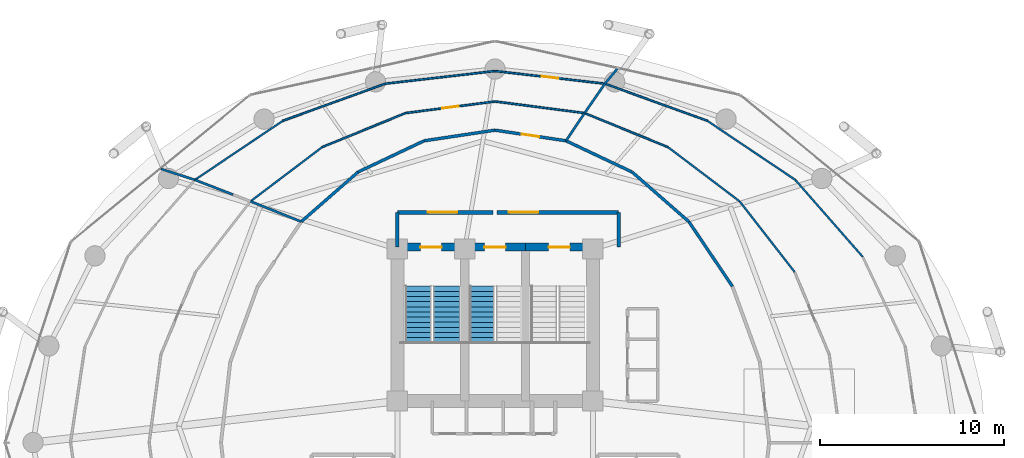
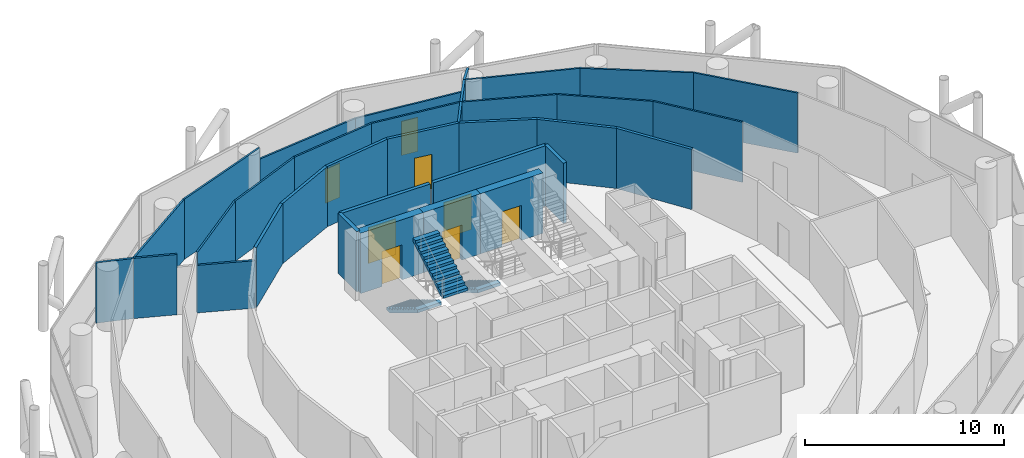
# One storey, part 24 of 27: 34 walls, 8 doors, 3 stair flights, 8 openings, 2 elements without a shape of their own.
"""IFC4 building model written with IfcOpenShell, lengths in metres."""

from ifc_helpers import new_model, si_unit, direction, frame, frame_2d, origin, place, context, subcontext, project, spatial, polyline, rectangle, outline, extrude, material, layer, layer_set, type_object, element, fill, aggregate, save


model = new_model("IFC4")

# Units and contexts
model_context = context("Model", 3, precision=1e-05, world=origin(), true_north=direction((0.0, 1.0)))
body_context = subcontext(model_context, "Body", "Model", "MODEL_VIEW")
ifc_project = project(units=[si_unit("LENGTHUNIT", "METRE"), si_unit("AREAUNIT", "SQUARE_METRE"), si_unit("VOLUMEUNIT", "CUBIC_METRE"), si_unit("PLANEANGLEUNIT", "RADIAN"), si_unit("MASSUNIT", "GRAM", prefix="KILO")], contexts=[model_context])

# Site, building, storey
site_placement = place(None, origin())
site = spatial("IfcSite", under=ifc_project, at=site_placement, CompositionType="ELEMENT")
building_placement = place(site_placement, origin())
building = spatial("IfcBuilding", under=site, at=building_placement, Name="Nuhasar Tower", CompositionType="ELEMENT")
storey_placement = place(building_placement, frame((0.0, 0.0, 102.0)))
storey = spatial("IfcBuildingStorey", under=building, at=storey_placement, Name="L24", CompositionType="ELEMENT", Elevation=102.0)

# Wall, opening, door
ifc_material_1 = material(Name="Concrete C50/60", Category="concrete")
ifc_layer_1 = layer(ifc_material_1, 0.449951171875)
ifc_layer_set_1 = layer_set([ifc_layer_1], Name="Concrete C50/60")
wall_type_1 = type_object("IfcWallType", Name="WL-CORE-450", PredefinedType="SHEAR", material=ifc_layer_set_1)
wall_1_placement = place(storey_placement, frame((37.35009765625, 37.39990234375, 0.0), z_axis=(0.0, 0.0, 1.0), x_axis=(-1.0, 0.0, 0.0)))
wall_1 = element("IfcWall", 1, at=wall_1_placement, inside=storey, type_object=wall_type_1, Name="L24 Stairwell Shear Wall ST01-N", PredefinedType="SHEAR", context=body_context, shape_type="SweptSolid", body=[
    extrude(rectangle(XDim=3.650146484375, YDim=0.449951171875, at=frame_2d((1.8251953125, 0.0))), origin(), (0.0, 0.0, 1.0), 3.699951171875),
])
opening_1_placement = place(wall_1_placement, frame((1.25, 0.0, 0.0)))
opening_1 = element("IfcOpeningElement", 2, at=opening_1_placement, cuts=wall_1, Name="Opening DS-01", PredefinedType="OPENING", context=body_context, shape_type="SweptSolid", body=[
    extrude(rectangle(XDim=1.14990234375, YDim=2.14990234375, at=frame_2d((0.574951171875, 1.074951171875))), frame((0.0, 0.23486328125, 0.0), z_axis=(0.0, -1.0, 0.0), x_axis=(1.0, 0.0, 0.0)), (0.0, 0.0, 1.0), 0.469970703125),
])
ifc_material_2 = material(Name="Steel S355", Category="steel")
door_type_1 = type_object("IfcDoorType", Name="DR-STAIR-FD120-1150", OperationType="NOTDEFINED", PredefinedType="DOOR", material=ifc_material_2)
door_1_placement = place(opening_1_placement, origin())
door_1 = element("IfcDoor", 3, at=door_1_placement, inside=storey, type_object=door_type_1, Name="L24 Exit Stair ST-01 Door", OperationType="SINGLE_SWING_RIGHT", OverallHeight=2.14990234375, OverallWidth=1.14990234375, PredefinedType="DOOR", context=body_context, shape_type="SweptSolid", body=[
    extrude(rectangle(XDim=1.14990234375, YDim=2.14990234375, at=frame_2d((0.574951171875, 1.074951171875))), frame((0.0, 0.02490234375, 0.0), z_axis=(0.0, -1.0, 0.0), x_axis=(1.0, 0.0, 0.0)), (0.0, 0.0, 1.0), 0.050048828125),
])
fill(opening_1, door_1)

wall_2_placement = place(storey_placement, frame((40.64990234375, 37.39990234375, 0.0), z_axis=(0.0, 0.0, 1.0), x_axis=(-1.0, 0.0, 0.0)))
wall_2 = element("IfcWall", 4, at=wall_2_placement, inside=storey, type_object=wall_type_1, Name="L24 Stairwell Shear Wall ST03-N", PredefinedType="SHEAR", context=body_context, shape_type="SweptSolid", body=[
    extrude(rectangle(XDim=3.2998046875, YDim=0.449951171875, at=frame_2d((1.64990234375, 0.0))), origin(), (0.0, 0.0, 1.0), 3.699951171875),
])
opening_2_placement = place(wall_2_placement, frame((1.074951171875, 0.0, 0.0)))
opening_2 = element("IfcOpeningElement", 5, at=opening_2_placement, cuts=wall_2, Name="Opening DS-01", PredefinedType="OPENING", context=body_context, shape_type="SweptSolid", body=[
    extrude(rectangle(XDim=1.14990234375, YDim=2.14990234375, at=frame_2d((0.574951171875, 1.074951171875))), frame((0.0, 0.23486328125, 0.0), z_axis=(0.0, -1.0, 0.0), x_axis=(1.0, 0.0, 0.0)), (0.0, 0.0, 1.0), 0.469970703125),
])
door_2_placement = place(opening_2_placement, origin())
door_2 = element("IfcDoor", 6, at=door_2_placement, inside=storey, type_object=door_type_1, Name="L24 Exit Stair ST-03 Door", OperationType="SINGLE_SWING_RIGHT", OverallHeight=2.14990234375, OverallWidth=1.14990234375, PredefinedType="DOOR", context=body_context, shape_type="SweptSolid", body=[
    extrude(rectangle(XDim=1.14990234375, YDim=2.14990234375, at=frame_2d((0.574951171875, 1.074951171875))), frame((0.0, 0.02490234375, 0.0), z_axis=(0.0, -1.0, 0.0), x_axis=(1.0, 0.0, 0.0)), (0.0, 0.0, 1.0), 0.050048828125),
])
fill(opening_2, door_2)

wall_3_placement = place(storey_placement, frame((44.300048828125, 37.39990234375, 0.0), z_axis=(0.0, 0.0, 1.0), x_axis=(-1.0, 0.0, 0.0)))
wall_3 = element("IfcWall", 7, at=wall_3_placement, inside=storey, type_object=wall_type_1, Name="L24 Stairwell Shear Wall ST02-N", PredefinedType="SHEAR", context=body_context, shape_type="SweptSolid", body=[
    extrude(rectangle(XDim=3.650146484375, YDim=0.449951171875, at=frame_2d((1.8251953125, 0.0))), origin(), (0.0, 0.0, 1.0), 3.699951171875),
])
opening_3_placement = place(wall_3_placement, frame((1.25, 0.0, 0.0)))
opening_3 = element("IfcOpeningElement", 8, at=opening_3_placement, cuts=wall_3, Name="Opening DS-01", PredefinedType="OPENING", context=body_context, shape_type="SweptSolid", body=[
    extrude(rectangle(XDim=1.14990234375, YDim=2.14990234375, at=frame_2d((0.574951171875, 1.074951171875))), frame((0.0, 0.23486328125, 0.0), z_axis=(0.0, -1.0, 0.0), x_axis=(1.0, 0.0, 0.0)), (0.0, 0.0, 1.0), 0.469970703125),
])
door_3_placement = place(opening_3_placement, origin())
door_3 = element("IfcDoor", 9, at=door_3_placement, inside=storey, type_object=door_type_1, Name="L24 Exit Stair ST-02 Door", OperationType="SINGLE_SWING_LEFT", OverallHeight=2.14990234375, OverallWidth=1.14990234375, PredefinedType="DOOR", context=body_context, shape_type="SweptSolid", body=[
    extrude(rectangle(XDim=1.14990234375, YDim=2.14990234375, at=frame_2d((0.574951171875, 1.074951171875))), frame((0.0, 0.02490234375, 0.0), z_axis=(0.0, -1.0, 0.0), x_axis=(1.0, 0.0, 0.0)), (0.0, 0.0, 1.0), 0.050048828125),
])
fill(opening_3, door_3)

# Walls
ifc_material_3 = material(Name="Gypsum Board", Category="gypsum")
ifc_layer_2 = layer(ifc_material_3, 0.159912109375)
ifc_layer_set_2 = layer_set([ifc_layer_2], Name="Gypsum Board")
wall_type_2 = type_object("IfcWallType", Name="WL-CORR-160", PredefinedType="PARTITIONING", material=ifc_layer_set_2)
wall_4_placement = place(storey_placement, frame((51.868896484375, 35.27001953125, 0.0), z_axis=(0.0, 0.0, 1.0), x_axis=(-0.558319056182, 0.829626320402, 0.0)))
element("IfcWall", 10, at=wall_4_placement, inside=storey, type_object=wall_type_2, Name="L24 Interior Partition CORR-04", PredefinedType="PARTITIONING", context=body_context, shape_type="SweptSolid", body=[
    extrude(rectangle(XDim=4.228515625, YDim=0.159912109375, at=frame_2d((2.1142578125, 0.0))), origin(), (0.0, 0.0, 1.0), 3.699951171875),
])
wall_5_placement = place(storey_placement, frame((49.508056640625, 38.778076171875, 0.0), z_axis=(0.0, 0.0, 1.0), x_axis=(-0.75275419575, 0.658301694348, 0.0)))
element("IfcWall", 11, at=wall_5_placement, inside=storey, type_object=wall_type_2, Name="L24 Interior Partition CORR-06", PredefinedType="PARTITIONING", context=body_context, shape_type="SweptSolid", body=[
    extrude(rectangle(XDim=4.089111328125, YDim=0.159912109375, at=frame_2d((2.04443359375, 0.0))), origin(), (0.0, 0.0, 1.0), 3.699951171875),
])
wall_6_placement = place(storey_placement, frame((46.429931640625, 41.469970703125, 0.0), z_axis=(0.0, 0.0, 1.0), x_axis=(-0.904182574226, 0.427146195658, 0.0)))
element("IfcWall", 12, at=wall_6_placement, inside=storey, type_object=wall_type_2, Name="L24 Interior Partition CORR-08", PredefinedType="PARTITIONING", context=body_context, shape_type="SweptSolid", body=[
    extrude(rectangle(XDim=3.9638671875, YDim=0.159912109375, at=frame_2d((1.98193359375, 0.0))), origin(), (0.0, 0.0, 1.0), 3.699951171875),
])

# Wall, opening, door
wall_7_placement = place(storey_placement, frame((39.0, 43.739990234375, 0.0), z_axis=(0.0, 0.0, 1.0), x_axis=(0.988935892392, -0.14834352274, 0.0)))
wall_7 = element("IfcWall", 13, at=wall_7_placement, inside=storey, type_object=wall_type_2, Name="L24 Interior Partition CORR-10", PredefinedType="PARTITIONING", context=body_context, shape_type="SweptSolid", body=[
    extrude(rectangle(XDim=3.888916015625, YDim=0.159912109375, at=frame_2d((1.9443359375, 0.0))), origin(), (0.0, 0.0, 1.0), 3.699951171875),
])
opening_4_placement = place(wall_7_placement, frame((1.469970703125, 0.0, 0.0)))
opening_4 = element("IfcOpeningElement", 14, at=opening_4_placement, cuts=wall_7, Name="Opening DO-01", PredefinedType="OPENING", context=body_context, shape_type="SweptSolid", body=[
    extrude(rectangle(XDim=0.949951171875, YDim=2.14990234375, at=frame_2d((0.47509765625, 1.074951171875))), frame((0.0, 0.08984375, 0.0), z_axis=(0.0, -1.0, 0.0), x_axis=(1.0, 0.0, 0.0)), (0.0, 0.0, 1.0), 0.179931640625),
])
ifc_material_4 = material(Name="Timber Oak", Category="wood")
door_type_2 = type_object("IfcDoorType", Name="DR-OFFICE-FD30-950", OperationType="NOTDEFINED", PredefinedType="DOOR", material=ifc_material_4)
door_4_placement = place(opening_4_placement, origin())
door_4 = element("IfcDoor", 15, at=door_4_placement, inside=storey, type_object=door_type_2, Name="L24 Executive Boardroom Entry Door", OperationType="SINGLE_SWING_RIGHT", OverallHeight=2.14990234375, OverallWidth=0.949951171875, PredefinedType="DOOR", context=body_context, shape_type="SweptSolid", body=[
    extrude(rectangle(XDim=0.949951171875, YDim=2.14990234375, at=frame_2d((0.47509765625, 1.074951171875))), frame((0.0, 0.02490234375, 0.0), z_axis=(0.0, -1.0, 0.0), x_axis=(1.0, 0.0, 0.0)), (0.0, 0.0, 1.0), 0.050048828125),
])
fill(opening_4, door_4)

# Walls
wall_8_placement = place(storey_placement, frame((39.0, 43.739990234375, 0.0), z_axis=(0.0, 0.0, 1.0), x_axis=(-0.988935892392, -0.14834352274, 0.0)))
element("IfcWall", 16, at=wall_8_placement, inside=storey, type_object=wall_type_2, Name="L24 Interior Partition CORR-12", PredefinedType="PARTITIONING", context=body_context, shape_type="SweptSolid", body=[
    extrude(rectangle(XDim=3.888916015625, YDim=0.159912109375, at=frame_2d((1.9443359375, 0.0))), origin(), (0.0, 0.0, 1.0), 3.699951171875),
])
wall_9_placement = place(storey_placement, frame((35.154052734375, 43.1630859375, 0.0), z_axis=(0.0, 0.0, 1.0), x_axis=(-0.904182574226, -0.427146195658, 0.0)))
element("IfcWall", 17, at=wall_9_placement, inside=storey, type_object=wall_type_2, Name="L24 Interior Partition CORR-14", PredefinedType="PARTITIONING", context=body_context, shape_type="SweptSolid", body=[
    extrude(rectangle(XDim=3.9638671875, YDim=0.159912109375, at=frame_2d((1.98193359375, 0.0))), origin(), (0.0, 0.0, 1.0), 3.699951171875),
])
wall_10_placement = place(storey_placement, frame((31.570068359375, 41.469970703125, 0.0), z_axis=(0.0, 0.0, 1.0), x_axis=(-0.75275419575, -0.658301694348, 0.0)))
element("IfcWall", 18, at=wall_10_placement, inside=storey, type_object=wall_type_2, Name="L24 Interior Partition CORR-16", PredefinedType="PARTITIONING", context=body_context, shape_type="SweptSolid", body=[
    extrude(rectangle(XDim=4.089111328125, YDim=0.159912109375, at=frame_2d((2.04443359375, 0.0))), origin(), (0.0, 0.0, 1.0), 3.699951171875),
])
ifc_material_5 = material(Name="Concrete C45/55", Category="concrete")
ifc_layer_3 = layer(ifc_material_5, 0.199951171875)
ifc_layer_set_3 = layer_set([ifc_layer_3], Name="Concrete C45/55")
wall_type_3 = type_object("IfcWallType", Name="WL-LOBBY-200", PredefinedType="SOLIDWALL", material=ifc_layer_set_3)
for number, where, z_axis, x_axis, name in (
    (19, (33.699951171875, 37.39990234375, 0.0), (0.0, 0.0, 1.0), (0.0, 1.0, 0.0), "L24 Interior Partition NSL-W"),
    (20, (45.699951171875, 37.39990234375, 0.0), (0.0, 0.0, 1.0), (0.0, 1.0, 0.0), "L24 Interior Partition NSL-E"),
):
    element("IfcWall", number, at=place(storey_placement, frame(where, z_axis=z_axis, x_axis=x_axis)), inside=storey, type_object=wall_type_3, Name=name, PredefinedType="SOLIDWALL", context=body_context, shape_type="SweptSolid", body=[
        extrude(rectangle(XDim=1.880126953125, YDim=0.199951171875, at=frame_2d((0.93994140625, 0.0))), origin(), (0.0, 0.0, 1.0), 3.699951171875),
    ])

# Wall, opening, door
wall_11_placement = place(storey_placement, frame((38.89990234375, 39.280029296875, 0.0), z_axis=(0.0, 0.0, 1.0), x_axis=(-1.0, 0.0, 0.0)))
wall_11 = element("IfcWall", 21, at=wall_11_placement, inside=storey, type_object=wall_type_3, Name="L24 Interior Partition NSL-N1", PredefinedType="SOLIDWALL", context=body_context, shape_type="SweptSolid", body=[
    extrude(rectangle(XDim=5.199951171875, YDim=0.199951171875, at=frame_2d((2.60009765625, 0.0))), origin(), (0.0, 0.0, 1.0), 3.699951171875),
])
opening_5_placement = place(wall_11_placement, frame((1.949951171875, 0.0, 0.0)))
opening_5 = element("IfcOpeningElement", 22, at=opening_5_placement, cuts=wall_11, Name="Opening DC-01", PredefinedType="OPENING", context=body_context, shape_type="SweptSolid", body=[
    extrude(rectangle(XDim=1.60009765625, YDim=2.199951171875, at=frame_2d((0.800048828125, 1.10009765625))), frame((0.0, 0.10986328125, 0.0), z_axis=(0.0, -1.0, 0.0), x_axis=(1.0, 0.0, 0.0)), (0.0, 0.0, 1.0), 0.219970703125),
])
door_type_3 = type_object("IfcDoorType", Name="DR-CORR-FD60-1600", OperationType="DOUBLE_DOOR_SINGLE_SWING", PredefinedType="DOOR", material=ifc_material_2)
door_5_placement = place(opening_5_placement, origin())
door_5 = element("IfcDoor", 23, at=door_5_placement, inside=storey, type_object=door_type_3, Name="L24 North Stair Lobby West Door", OperationType="DOUBLE_DOOR_SINGLE_SWING", OverallHeight=2.199951171875, OverallWidth=1.60009765625, PredefinedType="DOOR", context=body_context, shape_type="SweptSolid", body=[
    extrude(rectangle(XDim=1.60009765625, YDim=2.199951171875, at=frame_2d((0.800048828125, 1.10009765625))), frame((0.0, 0.02490234375, 0.0), z_axis=(0.0, -1.0, 0.0), x_axis=(1.0, 0.0, 0.0)), (0.0, 0.0, 1.0), 0.050048828125),
])
fill(opening_5, door_5)

wall_12_placement = place(storey_placement, frame((45.699951171875, 39.280029296875, 0.0), z_axis=(0.0, 0.0, 1.0), x_axis=(-1.0, 0.0, 0.0)))
wall_12 = element("IfcWall", 24, at=wall_12_placement, inside=storey, type_object=wall_type_3, Name="L24 Interior Partition NSL-N2", PredefinedType="SOLIDWALL", context=body_context, shape_type="SweptSolid", body=[
    extrude(rectangle(XDim=6.599853515625, YDim=0.199951171875, at=frame_2d((3.2998046875, 0.0))), origin(), (0.0, 0.0, 1.0), 3.699951171875),
])
opening_6_placement = place(wall_12_placement, frame((4.35009765625, 0.0, 0.0)))
opening_6 = element("IfcOpeningElement", 25, at=opening_6_placement, cuts=wall_12, Name="Opening DC-01", PredefinedType="OPENING", context=body_context, shape_type="SweptSolid", body=[
    extrude(rectangle(XDim=1.60009765625, YDim=2.199951171875, at=frame_2d((0.800048828125, 1.10009765625))), frame((0.0, 0.10986328125, 0.0), z_axis=(0.0, -1.0, 0.0), x_axis=(1.0, 0.0, 0.0)), (0.0, 0.0, 1.0), 0.219970703125),
])
door_6_placement = place(opening_6_placement, origin())
door_6 = element("IfcDoor", 26, at=door_6_placement, inside=storey, type_object=door_type_3, Name="L24 North Stair Lobby East Door", OperationType="DOUBLE_DOOR_SINGLE_SWING", OverallHeight=2.199951171875, OverallWidth=1.60009765625, PredefinedType="DOOR", context=body_context, shape_type="SweptSolid", body=[
    extrude(rectangle(XDim=1.60009765625, YDim=2.199951171875, at=frame_2d((0.800048828125, 1.10009765625))), frame((0.0, 0.02490234375, 0.0), z_axis=(0.0, -1.0, 0.0), x_axis=(1.0, 0.0, 0.0)), (0.0, 0.0, 1.0), 0.050048828125),
])
fill(opening_6, door_6)

# Walls
ifc_material_6 = material(Name="Aluminium 6063-T6", Category="aluminium")
ifc_layer_4 = layer(ifc_material_6, 0.10009765625)
ifc_layer_set_4 = layer_set([ifc_layer_4], Name="Aluminium 6063-T6")
wall_type_4 = type_object("IfcWallType", Name="WL-MOVABLE-100", PredefinedType="MOVABLE", material=ifc_layer_set_4)
wall_13_placement = place(storey_placement, frame((55.241943359375, 36.048095703125, 0.0), z_axis=(0.0, 0.0, 1.0), x_axis=(-0.613999814684, 0.789306168459, 0.0)))
element("IfcWall", 27, at=wall_13_placement, inside=storey, type_object=wall_type_4, Name="L24 Interior Partition OR1-01-04", PredefinedType="MOVABLE", context=body_context, shape_type="SweptSolid", body=[
    extrude(rectangle(XDim=4.853271484375, YDim=0.10009765625, at=frame_2d((2.4267578125, 0.0))), origin(), (0.0, 0.0, 1.0), 3.699951171875),
])
wall_14_placement = place(storey_placement, frame((52.261962890625, 39.87890625, 0.0), z_axis=(0.0, 0.0, 1.0), x_axis=(-0.797485241188, 0.60333845401, 0.0)))
element("IfcWall", 28, at=wall_14_placement, inside=storey, type_object=wall_type_4, Name="L24 Interior Partition OR1-01-06", PredefinedType="MOVABLE", context=body_context, shape_type="SweptSolid", body=[
    extrude(rectangle(XDim=4.87158203125, YDim=0.10009765625, at=frame_2d((2.435791015625, 0.0))), origin(), (0.0, 0.0, 1.0), 3.699951171875),
])
wall_15_placement = place(storey_placement, frame((48.376953125, 42.818115234375, 0.0), z_axis=(0.0, 0.0, 1.0), x_axis=(-0.925718788243, 0.378212539577, 0.0)))
element("IfcWall", 29, at=wall_15_placement, inside=storey, type_object=wall_type_4, Name="L24 Interior Partition OR1-01-08", PredefinedType="MOVABLE", context=body_context, shape_type="SweptSolid", body=[
    extrude(rectangle(XDim=4.885986328125, YDim=0.10009765625, at=frame_2d((2.44287109375, 0.0))), origin(), (0.0, 0.0, 1.0), 3.699951171875),
])
wall_16_placement = place(storey_placement, frame((58.93408203125, 36.873046875, 0.0), z_axis=(0.0, 0.0, 1.0), x_axis=(-0.659301696391, 0.751878496258, 0.0)))
element("IfcWall", 30, at=wall_16_placement, inside=storey, type_object=wall_type_4, Name="L24 Interior Partition OR2-01-04", PredefinedType="MOVABLE", context=body_context, shape_type="SweptSolid", body=[
    extrude(rectangle(XDim=5.548583984375, YDim=0.10009765625, at=frame_2d((2.7744140625, 0.0))), origin(), (0.0, 0.0, 1.0), 3.699951171875),
])
wall_17_placement = place(storey_placement, frame((55.27587890625, 41.044921875, 0.0), z_axis=(0.0, 0.0, 1.0), x_axis=(-0.830174745772, 0.557503265893, 0.0)))
element("IfcWall", 31, at=wall_17_placement, inside=storey, type_object=wall_type_4, Name="L24 Interior Partition OR2-01-06", PredefinedType="MOVABLE", context=body_context, shape_type="SweptSolid", body=[
    extrude(rectangle(XDim=5.741943359375, YDim=0.10009765625, at=frame_2d((2.87109375, 0.0))), origin(), (0.0, 0.0, 1.0), 3.699951171875),
])
wall_18_placement = place(storey_placement, frame((50.509033203125, 44.24609375, 0.0), z_axis=(0.0, 0.0, 1.0), x_axis=(-0.940117685929, 0.340850020689, 0.0)))
element("IfcWall", 32, at=wall_18_placement, inside=storey, type_object=wall_type_4, Name="L24 Interior Partition OR2-01-08", PredefinedType="MOVABLE", context=body_context, shape_type="SweptSolid", body=[
    extrude(rectangle(XDim=5.90576171875, YDim=0.10009765625, at=frame_2d((2.952880859375, 0.0))), origin(), (0.0, 0.0, 1.0), 3.699951171875),
])
wall_19_placement = place(storey_placement, frame((43.85400390625, 44.666015625, 0.0), z_axis=(0.0, 0.0, 1.0), x_axis=(-0.991685305255, 0.128686655646, 0.0)))
element("IfcWall", 33, at=wall_19_placement, inside=storey, type_object=wall_type_4, Name="L24 Interior Partition OR1-02-10", PredefinedType="MOVABLE", context=body_context, shape_type="SweptSolid", body=[
    extrude(rectangle(XDim=4.894775390625, YDim=0.10009765625, at=frame_2d((2.447265625, 0.0))), origin(), (0.0, 0.0, 1.0), 3.699951171875),
])

# Wall, opening, door
wall_20_placement = place(storey_placement, frame((39.0, 45.2958984375, 0.0), z_axis=(0.0, 0.0, 1.0), x_axis=(-0.991685305255, -0.128686655646, 0.0)))
wall_20 = element("IfcWall", 34, at=wall_20_placement, inside=storey, type_object=wall_type_4, Name="L24 Interior Partition OR1-02-12", PredefinedType="MOVABLE", context=body_context, shape_type="SweptSolid", body=[
    extrude(rectangle(XDim=4.894775390625, YDim=0.10009765625, at=frame_2d((2.447265625, 0.0))), origin(), (0.0, 0.0, 1.0), 3.699951171875),
])
opening_7_placement = place(wall_20_placement, frame((1.9970703125, 0.0, 0.0)))
opening_7 = element("IfcOpeningElement", 35, at=opening_7_placement, cuts=wall_20, Name="Opening DR-01", PredefinedType="OPENING", context=body_context, shape_type="SweptSolid", body=[
    extrude(rectangle(XDim=0.89990234375, YDim=2.10009765625, at=frame_2d((0.449951171875, 1.050048828125))), frame((0.0, 0.06005859375, 0.0), z_axis=(0.0, -1.0, 0.0), x_axis=(1.0, 0.0, 0.0)), (0.0, 0.0, 1.0), 0.1201171875),
])
door_type_4 = type_object("IfcDoorType", Name="DR-ROOM-900", OperationType="NOTDEFINED", PredefinedType="DOOR", material=ifc_material_4)
door_7_placement = place(opening_7_placement, origin())
door_7 = element("IfcDoor", 36, at=door_7_placement, inside=storey, type_object=door_type_4, Name="L24 Executive Boardroom Mid Door", OperationType="SINGLE_SWING_RIGHT", OverallHeight=2.10009765625, OverallWidth=0.89990234375, PredefinedType="DOOR", context=body_context, shape_type="SweptSolid", body=[
    extrude(rectangle(XDim=0.89990234375, YDim=2.10009765625, at=frame_2d((0.449951171875, 1.050048828125))), frame((0.0, 0.02490234375, 0.0), z_axis=(0.0, -1.0, 0.0), x_axis=(1.0, 0.0, 0.0)), (0.0, 0.0, 1.0), 0.050048828125),
])
fill(opening_7, door_7)

# Walls
wall_21_placement = place(storey_placement, frame((34.14599609375, 44.666015625, 0.0), z_axis=(0.0, 0.0, 1.0), x_axis=(-0.925718788243, -0.378212539577, 0.0)))
element("IfcWall", 37, at=wall_21_placement, inside=storey, type_object=wall_type_4, Name="L24 Interior Partition OR1-02-14", PredefinedType="MOVABLE", context=body_context, shape_type="SweptSolid", body=[
    extrude(rectangle(XDim=4.885986328125, YDim=0.10009765625, at=frame_2d((2.44287109375, 0.0))), origin(), (0.0, 0.0, 1.0), 3.699951171875),
])
wall_22_placement = place(storey_placement, frame((29.623046875, 42.818115234375, 0.0), z_axis=(0.0, 0.0, 1.0), x_axis=(-0.797485241188, -0.60333845401, 0.0)))
element("IfcWall", 38, at=wall_22_placement, inside=storey, type_object=wall_type_4, Name="L24 Interior Partition OR1-02-16", PredefinedType="MOVABLE", context=body_context, shape_type="SweptSolid", body=[
    extrude(rectangle(XDim=4.87158203125, YDim=0.10009765625, at=frame_2d((2.435791015625, 0.0))), origin(), (0.0, 0.0, 1.0), 3.699951171875),
])

# Wall, opening, door
wall_23_placement = place(storey_placement, frame((44.95703125, 46.259033203125, 0.0), z_axis=(0.0, 0.0, 1.0), x_axis=(-0.993433875949, 0.114407753747, 0.0)))
wall_23 = element("IfcWall", 39, at=wall_23_placement, inside=storey, type_object=wall_type_4, Name="L24 Interior Partition OR2-02-10", PredefinedType="MOVABLE", context=body_context, shape_type="SweptSolid", body=[
    extrude(rectangle(XDim=5.996337890625, YDim=0.10009765625, at=frame_2d((2.998046875, 0.0))), origin(), (0.0, 0.0, 1.0), 3.0048828125),
])
opening_8_placement = place(wall_23_placement, frame((2.548095703125, 0.0, 0.0)))
opening_8 = element("IfcOpeningElement", 40, at=opening_8_placement, cuts=wall_23, Name="Opening DR-01", PredefinedType="OPENING", context=body_context, shape_type="SweptSolid", body=[
    extrude(rectangle(XDim=0.89990234375, YDim=2.10009765625, at=frame_2d((0.449951171875, 1.050048828125))), frame((0.0, 0.06005859375, 0.0), z_axis=(0.0, -1.0, 0.0), x_axis=(1.0, 0.0, 0.0)), (0.0, 0.0, 1.0), 0.1201171875),
])
door_8_placement = place(opening_8_placement, origin())
door_8 = element("IfcDoor", 41, at=door_8_placement, inside=storey, type_object=door_type_4, Name="L24 Executive Boardroom Outer Door", OperationType="SINGLE_SWING_LEFT", OverallHeight=2.10009765625, OverallWidth=0.89990234375, PredefinedType="DOOR", context=body_context, shape_type="SweptSolid", body=[
    extrude(rectangle(XDim=0.89990234375, YDim=2.10009765625, at=frame_2d((0.449951171875, 1.050048828125))), frame((0.0, 0.02490234375, 0.0), z_axis=(0.0, -1.0, 0.0), x_axis=(1.0, 0.0, 0.0)), (0.0, 0.0, 1.0), 0.050048828125),
])
fill(opening_8, door_8)

# Walls
wall_24_placement = place(storey_placement, frame((39.0, 46.945068359375, 0.0), z_axis=(0.0, 0.0, 1.0), x_axis=(-0.993433875949, -0.114407753747, 0.0)))
element("IfcWall", 42, at=wall_24_placement, inside=storey, type_object=wall_type_4, Name="L24 Interior Partition OR2-02-12", PredefinedType="MOVABLE", context=body_context, shape_type="SweptSolid", body=[
    extrude(rectangle(XDim=5.996337890625, YDim=0.10009765625, at=frame_2d((2.998046875, 0.0))), origin(), (0.0, 0.0, 1.0), 3.0048828125),
])
wall_25_placement = place(storey_placement, frame((33.04296875, 46.259033203125, 0.0), z_axis=(0.0, 0.0, 1.0), x_axis=(-0.940117685929, -0.340850020689, 0.0)))
element("IfcWall", 43, at=wall_25_placement, inside=storey, type_object=wall_type_4, Name="L24 Interior Partition OR2-02-14", PredefinedType="MOVABLE", context=body_context, shape_type="SweptSolid", body=[
    extrude(rectangle(XDim=5.90576171875, YDim=0.10009765625, at=frame_2d((2.952880859375, 0.0))), origin(), (0.0, 0.0, 1.0), 3.699951171875),
])
wall_26_placement = place(storey_placement, frame((27.490966796875, 44.24609375, 0.0), z_axis=(0.0, 0.0, 1.0), x_axis=(-0.830174745772, -0.557503265893, 0.0)))
element("IfcWall", 44, at=wall_26_placement, inside=storey, type_object=wall_type_4, Name="L24 Interior Partition OR2-02-16", PredefinedType="MOVABLE", context=body_context, shape_type="SweptSolid", body=[
    extrude(rectangle(XDim=5.741943359375, YDim=0.10009765625, at=frame_2d((2.87109375, 0.0))), origin(), (0.0, 0.0, 1.0), 3.699951171875),
])
ifc_layer_5 = layer(ifc_material_3, 0.125)
ifc_layer_set_5 = layer_set([ifc_layer_5], Name="Gypsum Board")
wall_type_5 = type_object("IfcWallType", Name="WL-PART-125", PredefinedType="PARTITIONING", material=ifc_layer_set_5)
wall_27_placement = place(storey_placement, frame((42.845947265625, 43.1630859375, 0.0), z_axis=(0.0, 0.0, 1.0), x_axis=(0.557032949089, 0.83049039346, 0.0)))
element("IfcWall", 45, at=wall_27_placement, inside=storey, type_object=wall_type_5, Name="L24 Interior Partition ORAD7-10-S1", PredefinedType="PARTITIONING", context=body_context, shape_type="SweptSolid", body=[
    extrude(rectangle(XDim=1.8095703125, YDim=0.125, at=frame_2d((0.90478515625, 0.0))), origin(), (0.0, 0.0, 1.0), 3.699951171875),
])
wall_28_placement = place(storey_placement, frame((43.85400390625, 44.666015625, 0.0), z_axis=(0.0, 0.0, 1.0), x_axis=(0.569268945464, 0.822151365461, 0.0)))
element("IfcWall", 46, at=wall_28_placement, inside=storey, type_object=wall_type_5, Name="L24 Interior Partition ORAD7-10-S2", PredefinedType="PARTITIONING", context=body_context, shape_type="SweptSolid", body=[
    extrude(rectangle(XDim=1.9375, YDim=0.125, at=frame_2d((0.96875, 0.0))), origin(), (0.0, 0.0, 1.0), 3.699951171875),
])
wall_29_placement = place(storey_placement, frame((44.95703125, 46.259033203125, 0.0), z_axis=(0.0, 0.0, 1.0), x_axis=(0.640184399664, 0.768221279597, 0.0)))
element("IfcWall", 47, at=wall_29_placement, inside=storey, type_object=wall_type_5, Name="L24 Interior Partition ORAD7-10-S3", PredefinedType="PARTITIONING", context=body_context, shape_type="SweptSolid", body=[
    extrude(rectangle(XDim=1.054443359375, YDim=0.125, at=frame_2d((0.52734375, 0.0))), origin(), (0.0, 0.0, 1.0), 3.699951171875),
])
wall_30_placement = place(storey_placement, frame((28.491943359375, 38.778076171875, 0.0), z_axis=(0.0, 0.0, 1.0), x_axis=(-0.928561824385, 0.371177771822, 0.0)))
element("IfcWall", 48, at=wall_30_placement, inside=storey, type_object=wall_type_5, Name="L24 Interior Partition ORAD7-18-S1", PredefinedType="PARTITIONING", context=body_context, shape_type="SweptSolid", body=[
    extrude(rectangle(XDim=2.9658203125, YDim=0.125, at=frame_2d((1.48291015625, 0.0))), origin(), (0.0, 0.0, 1.0), 2.919921875),
])
wall_31_placement = place(storey_placement, frame((24.791015625, 40.2451171875, 0.0), z_axis=(0.0, 0.0, 1.0), x_axis=(-0.932611158557, 0.360882843779, 0.0)))
element("IfcWall", 49, at=wall_31_placement, inside=storey, type_object=wall_type_5, Name="L24 Interior Partition ORAD7-18-S2", PredefinedType="PARTITIONING", context=body_context, shape_type="SweptSolid", body=[
    extrude(rectangle(XDim=2.21630859375, YDim=0.125, at=frame_2d((1.108154296875, 0.0))), origin(), (0.0, 0.0, 1.0), 3.699951171875),
])
wall_32_placement = place(storey_placement, frame((22.72412109375, 41.044921875, 0.0), z_axis=(0.0, 0.0, 1.0), x_axis=(-0.951840581079, 0.306593392314, 0.0)))
element("IfcWall", 50, at=wall_32_placement, inside=storey, type_object=wall_type_5, Name="L24 Interior Partition ORAD7-18-S3", PredefinedType="PARTITIONING", context=body_context, shape_type="SweptSolid", body=[
    extrude(rectangle(XDim=1.934326171875, YDim=0.125, at=frame_2d((0.96728515625, 0.0))), origin(), (0.0, 0.0, 1.0), 3.699951171875),
])

# Stair, stair flights
stair_type_1 = type_object("IfcStairType", Name="STR-ST-01-2F-24R-1688", PredefinedType="HALF_TURN_STAIR", material=ifc_material_5)
stair_1_placement = place(storey_placement, origin())
stair_1 = element("IfcStair", 51, at=stair_1_placement, inside=storey, type_object=stair_type_1, Name="L24 Exit Stair ST-01", PredefinedType="HALF_TURN_STAIR")
stair_flight_type_1 = type_object("IfcStairFlightType", Name="SFL-ST-01-12R-1688", PredefinedType="STRAIGHT", material=ifc_material_5)
stair_flight_1_placement = place(storey_placement, frame((34.830078125, 35.284912109375, 0.0), z_axis=(0.0, 0.0, 1.0), x_axis=(0.0, -1.0, 0.0)))
stair_flight_1 = element("IfcStairFlight", 52, at=stair_flight_1_placement, type_object=stair_flight_type_1, Name="ST-01 flight 1", NumberOfRisers=12, NumberOfTreads=11, PredefinedType="STRAIGHT", RiserHeight=0.16875, TreadLength=0.28, context=body_context, shape_type="SweptSolid", body=[
    extrude(outline(polyline([(0.0, 0.0), (0.0, 0.168701171875), (0.280029296875, 0.168701171875), (0.280029296875, 0.33740234375), (0.56005859375, 0.33740234375), (0.56005859375, 0.50634765625), (0.840087890625, 0.50634765625), (0.840087890625, 0.675048828125), (1.1201171875, 0.675048828125), (1.1201171875, 0.84375), (1.39990234375, 0.84375), (1.39990234375, 1.012451171875), (1.679931640625, 1.012451171875), (1.679931640625, 1.18115234375), (1.9599609375, 1.18115234375), (1.9599609375, 1.35009765625), (2.239990234375, 1.35009765625), (2.239990234375, 1.518798828125), (2.52001953125, 1.518798828125), (2.52001953125, 1.6875), (2.800048828125, 1.6875), (2.800048828125, 1.856201171875), (3.080078125, 1.856201171875), (3.080078125, 2.02490234375), (3.080078125, 1.66943359375), (0.309814453125, 0.0), (0.0, 0.0)])), frame((0.0, 0.7099609375, 0.0), z_axis=(0.0, -1.0, 0.0), x_axis=(1.0, 0.0, 0.0)), (0.0, 0.0, 1.0), 1.419921875),
])
stair_flight_2_placement = place(storey_placement, frame((36.35009765625, 32.205078125, 2.02490234375), z_axis=(0.0, 0.0, 1.0), x_axis=(0.0, 1.0, 0.0)))
stair_flight_2 = element("IfcStairFlight", 53, at=stair_flight_2_placement, type_object=stair_flight_type_1, Name="ST-01 flight 2", NumberOfRisers=12, NumberOfTreads=11, PredefinedType="STRAIGHT", RiserHeight=0.16875, TreadLength=0.28, context=body_context, shape_type="SweptSolid", body=[
    extrude(outline(polyline([(0.0, 0.0), (0.0, 0.168701171875), (0.280029296875, 0.168701171875), (0.280029296875, 0.33740234375), (0.56005859375, 0.33740234375), (0.56005859375, 0.50634765625), (0.840087890625, 0.50634765625), (0.840087890625, 0.675048828125), (1.1201171875, 0.675048828125), (1.1201171875, 0.84375), (1.39990234375, 0.84375), (1.39990234375, 1.012451171875), (1.679931640625, 1.012451171875), (1.679931640625, 1.18115234375), (1.9599609375, 1.18115234375), (1.9599609375, 1.35009765625), (2.239990234375, 1.35009765625), (2.239990234375, 1.518798828125), (2.52001953125, 1.518798828125), (2.52001953125, 1.6875), (2.800048828125, 1.6875), (2.800048828125, 1.856201171875), (3.080078125, 1.856201171875), (3.080078125, 2.02490234375), (3.080078125, 1.66943359375), (0.309814453125, 0.0), (0.0, 0.0)])), frame((0.0, 0.7099609375, 0.0), z_axis=(0.0, -1.0, 0.0), x_axis=(1.0, 0.0, 0.0)), (0.0, 0.0, 1.0), 1.419921875),
])
aggregate(stair_1, [stair_flight_1, stair_flight_2])

# Stair, stair flight
stair_type_2 = type_object("IfcStairType", Name="STR-ST-03-2F-24R-1688", PredefinedType="HALF_TURN_STAIR", material=ifc_material_5)
stair_2_placement = place(storey_placement, origin())
stair_2 = element("IfcStair", 54, at=stair_2_placement, inside=storey, type_object=stair_type_2, Name="L24 Exit Stair ST-03", PredefinedType="HALF_TURN_STAIR")
stair_flight_type_2 = type_object("IfcStairFlightType", Name="SFL-ST-03-12R-1688", PredefinedType="STRAIGHT", material=ifc_material_5)
stair_flight_3_placement = place(storey_placement, frame((38.280029296875, 35.284912109375, 0.0), z_axis=(0.0, 0.0, 1.0), x_axis=(0.0, -1.0, 0.0)))
stair_flight_3 = element("IfcStairFlight", 55, at=stair_flight_3_placement, type_object=stair_flight_type_2, Name="ST-03 flight 1", NumberOfRisers=12, NumberOfTreads=11, PredefinedType="STRAIGHT", RiserHeight=0.16875, TreadLength=0.28, context=body_context, shape_type="SweptSolid", body=[
    extrude(outline(polyline([(0.0, 0.0), (0.0, 0.168701171875), (0.280029296875, 0.168701171875), (0.280029296875, 0.33740234375), (0.56005859375, 0.33740234375), (0.56005859375, 0.50634765625), (0.840087890625, 0.50634765625), (0.840087890625, 0.675048828125), (1.1201171875, 0.675048828125), (1.1201171875, 0.84375), (1.39990234375, 0.84375), (1.39990234375, 1.012451171875), (1.679931640625, 1.012451171875), (1.679931640625, 1.18115234375), (1.9599609375, 1.18115234375), (1.9599609375, 1.35009765625), (2.239990234375, 1.35009765625), (2.239990234375, 1.518798828125), (2.52001953125, 1.518798828125), (2.52001953125, 1.6875), (2.800048828125, 1.6875), (2.800048828125, 1.856201171875), (3.080078125, 1.856201171875), (3.080078125, 2.02490234375), (3.080078125, 1.66943359375), (0.309814453125, 0.0), (0.0, 0.0)])), frame((0.0, 0.669921875, 0.0), z_axis=(0.0, -1.0, 0.0), x_axis=(1.0, 0.0, 0.0)), (0.0, 0.0, 1.0), 1.340087890625),
])
aggregate(stair_2, [stair_flight_3])

save(model, "model.ifc")
